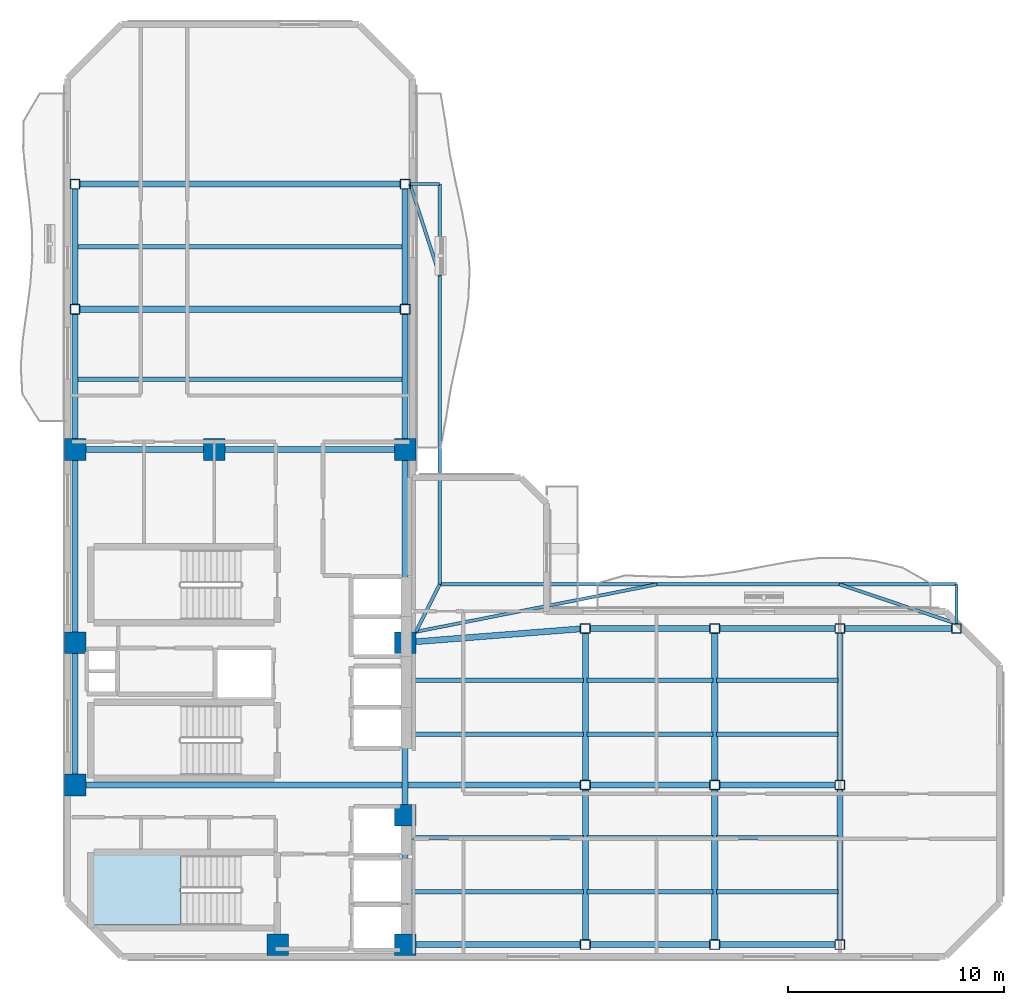
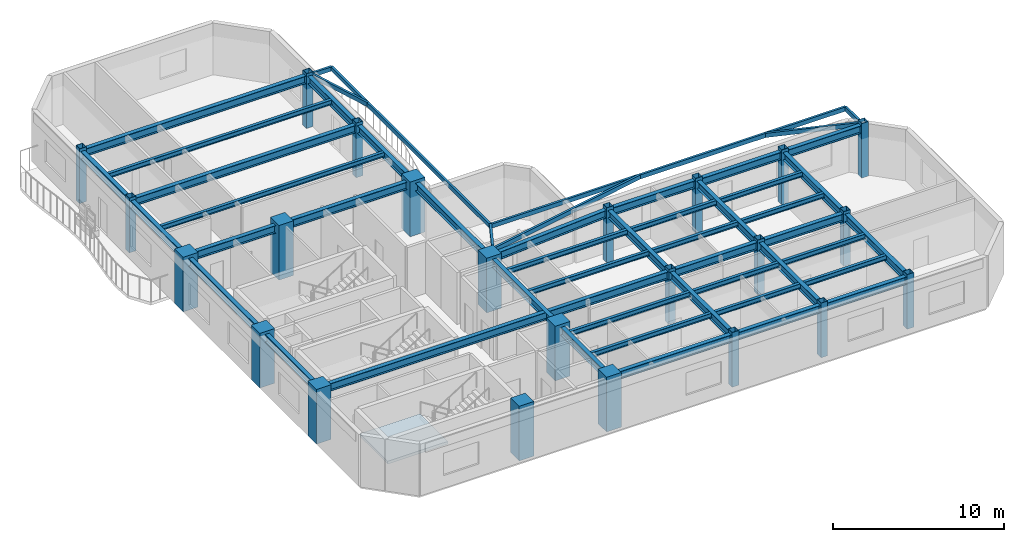
# One storey, part 1 of 11: 51 beams, 23 columns, 1 slab, 1 element without a shape of its own.
"""IFC4 building model written with IfcOpenShell, lengths in metres."""

from ifc_helpers import new_model, si_unit, direction, frame, origin, origin_2d, place, context, subcontext, project, spatial, polyline, rectangle, hollow_rectangle, i_section, outline, extrude, material, layer, layer_set, material_profile, profile_set, type_object, element, aggregate, save


model = new_model("IFC4")

# Units and contexts
model_context = context("Model", 3, precision=1e-05, world=origin(), true_north=direction((0.0, 1.0)))
body_context = subcontext(model_context, "Body", "Model", "MODEL_VIEW")
ifc_project = project(units=[si_unit("LENGTHUNIT", "METRE"), si_unit("AREAUNIT", "SQUARE_METRE"), si_unit("VOLUMEUNIT", "CUBIC_METRE"), si_unit("PLANEANGLEUNIT", "RADIAN"), si_unit("MASSUNIT", "GRAM", prefix="KILO")], contexts=[model_context])

# Site, building, storey
site_placement = place(None, origin())
site = spatial("IfcSite", under=ifc_project, at=site_placement, CompositionType="ELEMENT")
building_placement = place(site_placement, origin())
building = spatial("IfcBuilding", under=site, at=building_placement, Name="Mawjaban Terraces University", CompositionType="ELEMENT")
storey_placement = place(building_placement, frame((0.0, 0.0, 214.800048828125)))
storey = spatial("IfcBuildingStorey", under=building, at=storey_placement, Name="L52", CompositionType="ELEMENT", Elevation=214.800048828125)

# Columns
ifc_material_1 = material(Name="Concrete C60/75", Category="concrete")
ifc_material_profile_1 = material_profile(ifc_material_1, rectangle(XDim=1.0, YDim=1.0, at=origin_2d()), Name="RC1000X1000")
ifc_profile_set_1 = profile_set([ifc_material_profile_1], Name="Concrete C60/75")
column_type_1 = type_object("IfcColumnType", Name="Col_RC1000X1000", PredefinedType="COLUMN", material=ifc_profile_set_1)
for number, where, z_axis, x_axis, name in (
    (1, (31.75, 0.550048828125, 0.0), (0.0, 0.0, 1.0), (1.0, 0.0, 0.0), "L52 Column CC2"),
    (2, (37.64990234375, 0.550048828125, 0.0), (0.0, 0.0, 1.0), (1.0, 0.0, 0.0), "L52 Column CC3"),
    (3, (22.35009765625, 7.949951171875, 0.0), (0.0, 0.0, 1.0), (1.0, 0.0, 0.0), "L52 Column CC4"),
    (4, (37.64990234375, 6.550048828125, 0.0), (0.0, 0.0, 1.0), (1.0, 0.0, 0.0), "L52 Column CC5"),
    (5, (22.35009765625, 14.550048828125, 0.0), (0.0, 0.0, 1.0), (1.0, 0.0, 0.0), "L52 Column CC6"),
    (6, (37.64990234375, 14.550048828125, 0.0), (0.0, 0.0, 1.0), (1.0, 0.0, 0.0), "L52 Column CC7"),
    (7, (22.35009765625, 23.5, 0.0), (0.0, 0.0, 1.0), (1.0, 0.0, 0.0), "L52 Column CC8"),
    (8, (28.800048828125, 23.5, 0.0), (0.0, 0.0, 1.0), (1.0, 0.0, 0.0), "L52 Column CC9"),
    (9, (37.64990234375, 23.5, 0.0), (0.0, 0.0, 1.0), (1.0, 0.0, 0.0), "L52 Column CC10"),
):
    element("IfcColumn", number, at=place(storey_placement, frame(where, z_axis=z_axis, x_axis=x_axis)), inside=storey, type_object=column_type_1, Name=name, PredefinedType="COLUMN", context=body_context, shape_type="SweptSolid", body=[
        extrude(rectangle(XDim=1.0, YDim=1.0, at=origin_2d()), origin(), (0.0, 0.0, 1.0), 3.89990234375),
    ])
ifc_material_2 = material(Name="Steel EN 10210-1 S355J2H", Category="steel")
ifc_material_profile_2 = material_profile(ifc_material_2, hollow_rectangle(XDim=0.449951171875, YDim=0.449951171875, WallThickness=0.02001953125, at=origin_2d()), Name="SHS450X450X20")
ifc_profile_set_2 = profile_set([ifc_material_profile_2], Name="Steel EN 10210-1 S355J2H")
column_type_2 = type_object("IfcColumnType", Name="Col_SHS450X450X20", PredefinedType="COLUMN", material=ifc_profile_set_2)
for number, where, z_axis, x_axis, name in (
    (10, (46.0, 0.550048828125, 0.0), (0.0, 0.0, 1.0), (1.0, 0.0, 0.0), "L52 Column TE-460-005"),
    (11, (46.0, 7.949951171875, 0.0), (0.0, 0.0, 1.0), (1.0, 0.0, 0.0), "L52 Column TE-460-080"),
    (12, (46.0, 15.199951171875, 0.0), (0.0, 0.0, 1.0), (1.0, 0.0, 0.0), "L52 Column TE-460-152"),
    (13, (52.0, 0.550048828125, 0.0), (0.0, 0.0, 1.0), (1.0, 0.0, 0.0), "L52 Column TE-520-005"),
    (14, (52.0, 7.949951171875, 0.0), (0.0, 0.0, 1.0), (1.0, 0.0, 0.0), "L52 Column TE-520-080"),
    (15, (52.0, 15.199951171875, 0.0), (0.0, 0.0, 1.0), (1.0, 0.0, 0.0), "L52 Column TE-520-152"),
    (16, (57.800048828125, 0.550048828125, 0.0), (0.0, 0.0, 1.0), (1.0, 0.0, 0.0), "L52 Column TE-578-005"),
    (17, (57.800048828125, 7.949951171875, 0.0), (0.0, 0.0, 1.0), (1.0, 0.0, 0.0), "L52 Column TE-578-080"),
    (18, (57.800048828125, 15.199951171875, 0.0), (0.0, 0.0, 1.0), (1.0, 0.0, 0.0), "L52 Column TE-578-152"),
    (19, (63.199951171875, 15.199951171875, 0.0), (0.0, 0.0, 1.0), (1.0, 0.0, 0.0), "L52 Column TE-632-152"),
    (20, (22.35009765625, 30.0, 0.0), (0.0, 0.0, 1.0), (1.0, 0.0, 0.0), "L52 Column TN-223-300"),
    (21, (37.64990234375, 30.0, 0.0), (0.0, 0.0, 1.0), (1.0, 0.0, 0.0), "L52 Column TN-376-300"),
    (22, (22.35009765625, 35.800048828125, 0.0), (0.0, 0.0, 1.0), (1.0, 0.0, 0.0), "L52 Column TN-223-358"),
    (23, (37.64990234375, 35.800048828125, 0.0), (0.0, 0.0, 1.0), (1.0, 0.0, 0.0), "L52 Column TN-376-358"),
):
    element("IfcColumn", number, at=place(storey_placement, frame(where, z_axis=z_axis, x_axis=x_axis)), inside=storey, type_object=column_type_2, Name=name, PredefinedType="COLUMN", context=body_context, shape_type="SweptSolid", body=[
        extrude(hollow_rectangle(XDim=0.449951171875, YDim=0.449951171875, WallThickness=0.02001953125, at=origin_2d()), origin(), (0.0, 0.0, 1.0), 3.89990234375),
    ])

# Beams
ifc_material_profile_3 = material_profile(ifc_material_2, hollow_rectangle(XDim=0.14990234375, YDim=0.300048828125, WallThickness=0.012451171875, at=origin_2d()), Name="RHS300X150X12.5")
ifc_profile_set_3 = profile_set([ifc_material_profile_3], Name="Steel EN 10210-1 S355J2H")
beam_type_1 = type_object("IfcBeamType", Name="BalconyCantileverSpandrel_RHS", PredefinedType="SPANDREL", material=ifc_profile_set_3)
beam_1_placement = place(storey_placement, frame((38.14990234375, 15.050048828125, 3.5400390625), z_axis=(0.447253297971, 0.894407338663, 0.0), x_axis=(-0.894407338663, 0.447253297971, 0.0)))
element("IfcBeam", 24, at=beam_1_placement, inside=storey, type_object=beam_type_1, Name="L52 Corner Outrigger BAL-L53-N", PredefinedType="SPANDREL", context=body_context, shape_type="SweptSolid", body=[
    extrude(hollow_rectangle(XDim=0.14990234375, YDim=0.300048828125, WallThickness=0.012451171875, at=origin_2d()), origin(), (0.0, 0.0, 1.0), 2.459716796875),
])
beam_2_placement = place(storey_placement, frame((63.199951171875, 15.425048828125, 3.5400390625), z_axis=(0.0, 1.0, 0.0), x_axis=(-1.0, 0.0, 0.0)))
element("IfcBeam", 25, at=beam_2_placement, inside=storey, type_object=beam_type_1, Name="L52 Exterior Outrigger BAL-L53-N.2", PredefinedType="SPANDREL", context=body_context, shape_type="SweptSolid", body=[
    extrude(hollow_rectangle(XDim=0.14990234375, YDim=0.300048828125, WallThickness=0.012451171875, at=origin_2d()), origin(), (0.0, 0.0, 1.0), 1.824951171875),
])
beam_3_placement = place(storey_placement, frame((39.25, 17.25, 3.5400390625), z_axis=(1.0, 0.0, 0.0), x_axis=(0.0, 1.0, 0.0)))
element("IfcBeam", 26, at=beam_3_placement, inside=storey, type_object=beam_type_1, Name="L52 Exterior Edge Spandrel BAL-L53-N", PredefinedType="SPANDREL", context=body_context, shape_type="SweptSolid", body=[
    extrude(hollow_rectangle(XDim=0.14990234375, YDim=0.300048828125, WallThickness=0.012451171875, at=origin_2d()), origin(), (0.0, 0.0, 1.0), 23.949951171875),
])
beam_4_placement = place(storey_placement, frame((38.14990234375, 15.050048828125, 3.5400390625), z_axis=(0.981168159066, 0.193155490821, 0.0), x_axis=(-0.193155490821, 0.981168159066, 0.0)))
element("IfcBeam", 27, at=beam_4_placement, inside=storey, type_object=beam_type_1, Name="L52 Exterior Diagonal Strut BAL-L53-N.1", PredefinedType="SPANDREL", context=body_context, shape_type="SweptSolid", body=[
    extrude(hollow_rectangle(XDim=0.14990234375, YDim=0.300048828125, WallThickness=0.012451171875, at=origin_2d()), origin(), (0.0, 0.0, 1.0), 11.3896484375),
])
beam_5_placement = place(storey_placement, frame((63.199951171875, 15.425048828125, 3.5400390625), z_axis=(-0.947809569578, 0.318836980001, 0.0), x_axis=(-0.318836980001, -0.947809569578, 0.0)))
element("IfcBeam", 28, at=beam_5_placement, inside=storey, type_object=beam_type_1, Name="L52 Exterior Diagonal Strut BAL-L53-N.2", PredefinedType="SPANDREL", context=body_context, shape_type="SweptSolid", body=[
    extrude(hollow_rectangle(XDim=0.14990234375, YDim=0.300048828125, WallThickness=0.012451171875, at=origin_2d()), origin(), (0.0, 0.0, 1.0), 5.723876953125),
])
beam_6_placement = place(storey_placement, frame((37.875, 35.800048828125, 3.5400390625), z_axis=(1.0, 0.0, 0.0), x_axis=(0.0, 1.0, 0.0)))
element("IfcBeam", 29, at=beam_6_placement, inside=storey, type_object=beam_type_1, Name="L52 Exterior Outrigger BAL-L53-E.2", PredefinedType="SPANDREL", context=body_context, shape_type="SweptSolid", body=[
    extrude(hollow_rectangle(XDim=0.14990234375, YDim=0.300048828125, WallThickness=0.012451171875, at=origin_2d()), origin(), (0.0, 0.0, 1.0), 1.375),
])
beam_7_placement = place(storey_placement, frame((39.25, 17.25, 3.5400390625), z_axis=(0.0, 1.0, 0.0), x_axis=(-1.0, 0.0, 0.0)))
element("IfcBeam", 30, at=beam_7_placement, inside=storey, type_object=beam_type_1, Name="L52 Exterior Edge Spandrel BAL-L53-E", PredefinedType="SPANDREL", context=body_context, shape_type="SweptSolid", body=[
    extrude(hollow_rectangle(XDim=0.14990234375, YDim=0.300048828125, WallThickness=0.012451171875, at=origin_2d()), origin(), (0.0, 0.0, 1.0), 18.550048828125),
])
beam_8_placement = place(storey_placement, frame((37.875, 35.800048828125, 3.5400390625), z_axis=(0.307820285415, -0.951444518554, 0.0), x_axis=(0.951444518554, 0.307820285415, 0.0)))
element("IfcBeam", 31, at=beam_8_placement, inside=storey, type_object=beam_type_1, Name="L52 Exterior Diagonal Strut BAL-L53-E.1", PredefinedType="SPANDREL", context=body_context, shape_type="SweptSolid", body=[
    extrude(hollow_rectangle(XDim=0.14990234375, YDim=0.300048828125, WallThickness=0.012451171875, at=origin_2d()), origin(), (0.0, 0.0, 1.0), 4.466796875),
])
ifc_material_3 = material(Name="Steel ASTM A572 Grade 50", Category="steel")
ifc_material_profile_4 = material_profile(ifc_material_3, i_section(OverallWidth=0.281005859375, OverallDepth=0.551025390625, WebThickness=0.01513671875, FlangeThickness=0.02587890625, at=origin_2d()), Name="W530X182")
ifc_profile_set_4 = profile_set([ifc_material_profile_4], Name="Steel ASTM A572 Grade 50")
beam_type_2 = type_object("IfcBeamType", Name="Beam_B_W530X182", PredefinedType="BEAM", material=ifc_profile_set_4)
beam_9_placement = place(storey_placement, frame((38.14990234375, 0.550048828125, 3.4150390625), z_axis=(1.0, 0.0, 0.0), x_axis=(0.0, 1.0, 0.0)))
element("IfcBeam", 32, at=beam_9_placement, inside=storey, type_object=beam_type_2, Name="L52 Beam BM-L52-EW-01", PredefinedType="BEAM", context=body_context, shape_type="SweptSolid", body=[
    extrude(i_section(OverallWidth=0.281005859375, OverallDepth=0.551025390625, WebThickness=0.01513671875, FlangeThickness=0.02587890625, at=origin_2d()), origin(), (0.0, 0.0, 1.0), 7.625),
])
beam_10_placement = place(storey_placement, frame((46.22509765625, 0.550048828125, 3.4150390625), z_axis=(1.0, 0.0, 0.0), x_axis=(0.0, 1.0, 0.0)))
element("IfcBeam", 33, at=beam_10_placement, inside=storey, type_object=beam_type_2, Name="L52 Beam BM-L52-EW-02", PredefinedType="BEAM", context=body_context, shape_type="SweptSolid", body=[
    extrude(i_section(OverallWidth=0.281005859375, OverallDepth=0.551025390625, WebThickness=0.01513671875, FlangeThickness=0.02587890625, at=origin_2d()), origin(), (0.0, 0.0, 1.0), 5.5498046875),
])
beam_11_placement = place(storey_placement, frame((52.22509765625, 0.550048828125, 3.4150390625), z_axis=(1.0, 0.0, 0.0), x_axis=(0.0, 1.0, 0.0)))
element("IfcBeam", 34, at=beam_11_placement, inside=storey, type_object=beam_type_2, Name="L52 Beam BM-L52-EW-03", PredefinedType="BEAM", context=body_context, shape_type="SweptSolid", body=[
    extrude(i_section(OverallWidth=0.281005859375, OverallDepth=0.551025390625, WebThickness=0.01513671875, FlangeThickness=0.02587890625, at=origin_2d()), origin(), (0.0, 0.0, 1.0), 5.349853515625),
])
beam_12_placement = place(storey_placement, frame((22.85009765625, 7.949951171875, 3.4150390625), z_axis=(1.0, 0.0, 0.0), x_axis=(0.0, 1.0, 0.0)))
element("IfcBeam", 35, at=beam_12_placement, inside=storey, type_object=beam_type_2, Name="L52 Beam BM-L52-EW-04", PredefinedType="BEAM", context=body_context, shape_type="SweptSolid", body=[
    extrude(i_section(OverallWidth=0.281005859375, OverallDepth=0.551025390625, WebThickness=0.01513671875, FlangeThickness=0.02587890625, at=origin_2d()), origin(), (0.0, 0.0, 1.0), 22.9248046875),
])
beam_13_placement = place(storey_placement, frame((46.22509765625, 7.949951171875, 3.4150390625), z_axis=(1.0, 0.0, 0.0), x_axis=(0.0, 1.0, 0.0)))
element("IfcBeam", 36, at=beam_13_placement, inside=storey, type_object=beam_type_2, Name="L52 Beam BM-L52-EW-05", PredefinedType="BEAM", context=body_context, shape_type="SweptSolid", body=[
    extrude(i_section(OverallWidth=0.281005859375, OverallDepth=0.551025390625, WebThickness=0.01513671875, FlangeThickness=0.02587890625, at=origin_2d()), origin(), (0.0, 0.0, 1.0), 5.5498046875),
])
beam_14_placement = place(storey_placement, frame((52.22509765625, 7.949951171875, 3.4150390625), z_axis=(1.0, 0.0, 0.0), x_axis=(0.0, 1.0, 0.0)))
element("IfcBeam", 37, at=beam_14_placement, inside=storey, type_object=beam_type_2, Name="L52 Beam BM-L52-EW-06", PredefinedType="BEAM", context=body_context, shape_type="SweptSolid", body=[
    extrude(i_section(OverallWidth=0.281005859375, OverallDepth=0.551025390625, WebThickness=0.01513671875, FlangeThickness=0.02587890625, at=origin_2d()), origin(), (0.0, 0.0, 1.0), 5.349853515625),
])
beam_15_placement = place(storey_placement, frame((46.22509765625, 15.199951171875, 3.4150390625), z_axis=(1.0, 0.0, 0.0), x_axis=(0.0, 1.0, 0.0)))
element("IfcBeam", 38, at=beam_15_placement, inside=storey, type_object=beam_type_2, Name="L52 Beam BM-L52-EW-07", PredefinedType="BEAM", context=body_context, shape_type="SweptSolid", body=[
    extrude(i_section(OverallWidth=0.281005859375, OverallDepth=0.551025390625, WebThickness=0.01513671875, FlangeThickness=0.02587890625, at=origin_2d()), origin(), (0.0, 0.0, 1.0), 5.5498046875),
])
beam_16_placement = place(storey_placement, frame((52.22509765625, 15.199951171875, 3.4150390625), z_axis=(1.0, 0.0, 0.0), x_axis=(0.0, 1.0, 0.0)))
element("IfcBeam", 39, at=beam_16_placement, inside=storey, type_object=beam_type_2, Name="L52 Beam BM-L52-EW-08", PredefinedType="BEAM", context=body_context, shape_type="SweptSolid", body=[
    extrude(i_section(OverallWidth=0.281005859375, OverallDepth=0.551025390625, WebThickness=0.01513671875, FlangeThickness=0.02587890625, at=origin_2d()), origin(), (0.0, 0.0, 1.0), 5.349853515625),
])
beam_17_placement = place(storey_placement, frame((58.02490234375, 15.199951171875, 3.4150390625), z_axis=(1.0, 0.0, 0.0), x_axis=(0.0, 1.0, 0.0)))
element("IfcBeam", 40, at=beam_17_placement, inside=storey, type_object=beam_type_2, Name="L52 Beam BM-L52-EW-09", PredefinedType="BEAM", context=body_context, shape_type="SweptSolid", body=[
    extrude(i_section(OverallWidth=0.281005859375, OverallDepth=0.551025390625, WebThickness=0.01513671875, FlangeThickness=0.02587890625, at=origin_2d()), origin(), (0.0, 0.0, 1.0), 4.9501953125),
])
beam_18_placement = place(storey_placement, frame((22.85009765625, 23.5, 3.4150390625), z_axis=(1.0, 0.0, 0.0), x_axis=(0.0, 1.0, 0.0)))
element("IfcBeam", 41, at=beam_18_placement, inside=storey, type_object=beam_type_2, Name="L52 Beam BM-L52-EW-10", PredefinedType="BEAM", context=body_context, shape_type="SweptSolid", body=[
    extrude(i_section(OverallWidth=0.281005859375, OverallDepth=0.551025390625, WebThickness=0.01513671875, FlangeThickness=0.02587890625, at=origin_2d()), origin(), (0.0, 0.0, 1.0), 5.449951171875),
])
beam_19_placement = place(storey_placement, frame((29.300048828125, 23.5, 3.4150390625), z_axis=(1.0, 0.0, 0.0), x_axis=(0.0, 1.0, 0.0)))
element("IfcBeam", 42, at=beam_19_placement, inside=storey, type_object=beam_type_2, Name="L52 Beam BM-L52-EW-11", PredefinedType="BEAM", context=body_context, shape_type="SweptSolid", body=[
    extrude(i_section(OverallWidth=0.281005859375, OverallDepth=0.551025390625, WebThickness=0.01513671875, FlangeThickness=0.02587890625, at=origin_2d()), origin(), (0.0, 0.0, 1.0), 7.849853515625),
])
for number, where, z_axis, x_axis, name in (
    (43, (22.574951171875, 30.0, 3.4150390625), (1.0, 0.0, 0.0), (0.0, 1.0, 0.0), "L52 Beam BM-L52-EW-12"),
    (44, (22.574951171875, 35.800048828125, 3.4150390625), (1.0, 0.0, 0.0), (0.0, 1.0, 0.0), "L52 Beam BM-L52-EW-13"),
):
    element("IfcBeam", number, at=place(storey_placement, frame(where, z_axis=z_axis, x_axis=x_axis)), inside=storey, type_object=beam_type_2, Name=name, PredefinedType="BEAM", context=body_context, shape_type="SweptSolid", body=[
        extrude(i_section(OverallWidth=0.281005859375, OverallDepth=0.551025390625, WebThickness=0.01513671875, FlangeThickness=0.02587890625, at=origin_2d()), origin(), (0.0, 0.0, 1.0), 14.85009765625),
    ])
beam_20_placement = place(storey_placement, frame((22.35009765625, 8.449951171875, 3.4150390625), z_axis=(0.0, 1.0, 0.0), x_axis=(-1.0, 0.0, 0.0)))
element("IfcBeam", 45, at=beam_20_placement, inside=storey, type_object=beam_type_2, Name="L52 Beam BM-L52-NS-01", PredefinedType="BEAM", context=body_context, shape_type="SweptSolid", body=[
    extrude(i_section(OverallWidth=0.281005859375, OverallDepth=0.551025390625, WebThickness=0.01513671875, FlangeThickness=0.02587890625, at=origin_2d()), origin(), (0.0, 0.0, 1.0), 5.60009765625),
])
beam_21_placement = place(storey_placement, frame((22.35009765625, 15.050048828125, 3.4150390625), z_axis=(0.0, 1.0, 0.0), x_axis=(-1.0, 0.0, 0.0)))
element("IfcBeam", 46, at=beam_21_placement, inside=storey, type_object=beam_type_2, Name="L52 Beam BM-L52-NS-02", PredefinedType="BEAM", context=body_context, shape_type="SweptSolid", body=[
    extrude(i_section(OverallWidth=0.281005859375, OverallDepth=0.551025390625, WebThickness=0.01513671875, FlangeThickness=0.02587890625, at=origin_2d()), origin(), (0.0, 0.0, 1.0), 7.949951171875),
])
beam_22_placement = place(storey_placement, frame((22.35009765625, 24.0, 3.4150390625), z_axis=(0.0, 1.0, 0.0), x_axis=(-1.0, 0.0, 0.0)))
element("IfcBeam", 47, at=beam_22_placement, inside=storey, type_object=beam_type_2, Name="L52 Beam BM-L52-NS-03", PredefinedType="BEAM", context=body_context, shape_type="SweptSolid", body=[
    extrude(i_section(OverallWidth=0.281005859375, OverallDepth=0.551025390625, WebThickness=0.01513671875, FlangeThickness=0.02587890625, at=origin_2d()), origin(), (0.0, 0.0, 1.0), 5.77490234375),
])
beam_23_placement = place(storey_placement, frame((22.35009765625, 30.22509765625, 3.4150390625), z_axis=(0.0, 1.0, 0.0), x_axis=(-1.0, 0.0, 0.0)))
element("IfcBeam", 48, at=beam_23_placement, inside=storey, type_object=beam_type_2, Name="L52 Beam BM-L52-NS-04", PredefinedType="BEAM", context=body_context, shape_type="SweptSolid", body=[
    extrude(i_section(OverallWidth=0.281005859375, OverallDepth=0.551025390625, WebThickness=0.01513671875, FlangeThickness=0.02587890625, at=origin_2d()), origin(), (0.0, 0.0, 1.0), 5.349853515625),
])
beam_24_placement = place(storey_placement, frame((37.64990234375, 1.050048828125, 3.4150390625), z_axis=(0.0, 1.0, 0.0), x_axis=(-1.0, 0.0, 0.0)))
element("IfcBeam", 49, at=beam_24_placement, inside=storey, type_object=beam_type_2, Name="L52 Beam BM-L52-NS-05", PredefinedType="BEAM", context=body_context, shape_type="SweptSolid", body=[
    extrude(i_section(OverallWidth=0.281005859375, OverallDepth=0.551025390625, WebThickness=0.01513671875, FlangeThickness=0.02587890625, at=origin_2d()), origin(), (0.0, 0.0, 1.0), 5.0),
])
beam_25_placement = place(storey_placement, frame((37.64990234375, 7.050048828125, 3.4150390625), z_axis=(0.0, 1.0, 0.0), x_axis=(-1.0, 0.0, 0.0)))
element("IfcBeam", 50, at=beam_25_placement, inside=storey, type_object=beam_type_2, Name="L52 Beam BM-L52-NS-06", PredefinedType="BEAM", context=body_context, shape_type="SweptSolid", body=[
    extrude(i_section(OverallWidth=0.281005859375, OverallDepth=0.551025390625, WebThickness=0.01513671875, FlangeThickness=0.02587890625, at=origin_2d()), origin(), (0.0, 0.0, 1.0), 7.0),
])
beam_26_placement = place(storey_placement, frame((37.64990234375, 15.050048828125, 3.4150390625), z_axis=(0.0, 1.0, 0.0), x_axis=(-1.0, 0.0, 0.0)))
element("IfcBeam", 51, at=beam_26_placement, inside=storey, type_object=beam_type_2, Name="L52 Beam BM-L52-NS-07", PredefinedType="BEAM", context=body_context, shape_type="SweptSolid", body=[
    extrude(i_section(OverallWidth=0.281005859375, OverallDepth=0.551025390625, WebThickness=0.01513671875, FlangeThickness=0.02587890625, at=origin_2d()), origin(), (0.0, 0.0, 1.0), 7.949951171875),
])
beam_27_placement = place(storey_placement, frame((37.64990234375, 24.0, 3.4150390625), z_axis=(0.0, 1.0, 0.0), x_axis=(-1.0, 0.0, 0.0)))
element("IfcBeam", 52, at=beam_27_placement, inside=storey, type_object=beam_type_2, Name="L52 Beam BM-L52-NS-08", PredefinedType="BEAM", context=body_context, shape_type="SweptSolid", body=[
    extrude(i_section(OverallWidth=0.281005859375, OverallDepth=0.551025390625, WebThickness=0.01513671875, FlangeThickness=0.02587890625, at=origin_2d()), origin(), (0.0, 0.0, 1.0), 5.77490234375),
])
beam_28_placement = place(storey_placement, frame((37.64990234375, 30.22509765625, 3.4150390625), z_axis=(0.0, 1.0, 0.0), x_axis=(-1.0, 0.0, 0.0)))
element("IfcBeam", 53, at=beam_28_placement, inside=storey, type_object=beam_type_2, Name="L52 Beam BM-L52-NS-09", PredefinedType="BEAM", context=body_context, shape_type="SweptSolid", body=[
    extrude(i_section(OverallWidth=0.281005859375, OverallDepth=0.551025390625, WebThickness=0.01513671875, FlangeThickness=0.02587890625, at=origin_2d()), origin(), (0.0, 0.0, 1.0), 5.349853515625),
])
beam_29_placement = place(storey_placement, frame((46.0, 0.77490234375, 3.4150390625), z_axis=(0.0, 1.0, 0.0), x_axis=(-1.0, 0.0, 0.0)))
element("IfcBeam", 54, at=beam_29_placement, inside=storey, type_object=beam_type_2, Name="L52 Beam BM-L52-NS-10", PredefinedType="BEAM", context=body_context, shape_type="SweptSolid", body=[
    extrude(i_section(OverallWidth=0.281005859375, OverallDepth=0.551025390625, WebThickness=0.01513671875, FlangeThickness=0.02587890625, at=origin_2d()), origin(), (0.0, 0.0, 1.0), 6.9501953125),
])
beam_30_placement = place(storey_placement, frame((46.0, 8.175048828125, 3.4150390625), z_axis=(0.0, 1.0, 0.0), x_axis=(-1.0, 0.0, 0.0)))
element("IfcBeam", 55, at=beam_30_placement, inside=storey, type_object=beam_type_2, Name="L52 Beam BM-L52-NS-11", PredefinedType="BEAM", context=body_context, shape_type="SweptSolid", body=[
    extrude(i_section(OverallWidth=0.281005859375, OverallDepth=0.551025390625, WebThickness=0.01513671875, FlangeThickness=0.02587890625, at=origin_2d()), origin(), (0.0, 0.0, 1.0), 6.800048828125),
])
beam_31_placement = place(storey_placement, frame((52.0, 0.77490234375, 3.4150390625), z_axis=(0.0, 1.0, 0.0), x_axis=(-1.0, 0.0, 0.0)))
element("IfcBeam", 56, at=beam_31_placement, inside=storey, type_object=beam_type_2, Name="L52 Beam BM-L52-NS-12", PredefinedType="BEAM", context=body_context, shape_type="SweptSolid", body=[
    extrude(i_section(OverallWidth=0.281005859375, OverallDepth=0.551025390625, WebThickness=0.01513671875, FlangeThickness=0.02587890625, at=origin_2d()), origin(), (0.0, 0.0, 1.0), 6.9501953125),
])
beam_32_placement = place(storey_placement, frame((52.0, 8.175048828125, 3.4150390625), z_axis=(0.0, 1.0, 0.0), x_axis=(-1.0, 0.0, 0.0)))
element("IfcBeam", 57, at=beam_32_placement, inside=storey, type_object=beam_type_2, Name="L52 Beam BM-L52-NS-13", PredefinedType="BEAM", context=body_context, shape_type="SweptSolid", body=[
    extrude(i_section(OverallWidth=0.281005859375, OverallDepth=0.551025390625, WebThickness=0.01513671875, FlangeThickness=0.02587890625, at=origin_2d()), origin(), (0.0, 0.0, 1.0), 6.800048828125),
])
beam_33_placement = place(storey_placement, frame((57.800048828125, 0.77490234375, 3.4150390625), z_axis=(0.0, 1.0, 0.0), x_axis=(-1.0, 0.0, 0.0)))
element("IfcBeam", 58, at=beam_33_placement, inside=storey, type_object=beam_type_2, Name="L52 Beam BM-L52-NS-14", PredefinedType="BEAM", context=body_context, shape_type="SweptSolid", body=[
    extrude(i_section(OverallWidth=0.281005859375, OverallDepth=0.551025390625, WebThickness=0.01513671875, FlangeThickness=0.02587890625, at=origin_2d()), origin(), (0.0, 0.0, 1.0), 6.9501953125),
])
beam_34_placement = place(storey_placement, frame((57.800048828125, 8.175048828125, 3.4150390625), z_axis=(0.0, 1.0, 0.0), x_axis=(-1.0, 0.0, 0.0)))
element("IfcBeam", 59, at=beam_34_placement, inside=storey, type_object=beam_type_2, Name="L52 Beam BM-L52-NS-15", PredefinedType="BEAM", context=body_context, shape_type="SweptSolid", body=[
    extrude(i_section(OverallWidth=0.281005859375, OverallDepth=0.551025390625, WebThickness=0.01513671875, FlangeThickness=0.02587890625, at=origin_2d()), origin(), (0.0, 0.0, 1.0), 6.800048828125),
])
beam_35_placement = place(storey_placement, frame((38.14794921875, 14.589111328125, 3.4150390625), z_axis=(0.99698177718, 0.077635919341, 0.0), x_axis=(-0.077635919341, 0.99698177718, 0.0)))
element("IfcBeam", 60, at=beam_35_placement, inside=storey, type_object=beam_type_2, Name="L52 Beam BM-L52-CTIE", PredefinedType="BEAM", context=body_context, shape_type="SweptSolid", body=[
    extrude(i_section(OverallWidth=0.281005859375, OverallDepth=0.551025390625, WebThickness=0.01513671875, FlangeThickness=0.02587890625, at=origin_2d()), origin(), (0.0, 0.0, 1.0), 7.651123046875),
])
ifc_material_profile_5 = material_profile(ifc_material_3, i_section(OverallWidth=0.202880859375, OverallDepth=0.346923828125, WebThickness=0.0078125, FlangeThickness=0.013427734375, at=origin_2d()), Name="W360X64")
ifc_profile_set_5 = profile_set([ifc_material_profile_5], Name="Steel ASTM A572 Grade 50")
beam_type_3 = type_object("IfcBeamType", Name="Beam_J_W360X64", PredefinedType="JOIST", material=ifc_profile_set_5)
beam_36_placement = place(storey_placement, frame((37.72998046875, 3.0, 3.516845703125), z_axis=(1.0, 0.0, 0.0), x_axis=(0.0, 1.0, 0.0)))
element("IfcBeam", 61, at=beam_36_placement, inside=storey, type_object=beam_type_3, Name="L52 Composite Joist JST-L52-01", PredefinedType="JOIST", context=body_context, shape_type="SweptSolid", body=[
    extrude(i_section(OverallWidth=0.202880859375, OverallDepth=0.346923828125, WebThickness=0.0078125, FlangeThickness=0.013427734375, at=origin_2d()), origin(), (0.0, 0.0, 1.0), 8.18994140625),
])
beam_37_placement = place(storey_placement, frame((46.080078125, 3.0, 3.516845703125), z_axis=(1.0, 0.0, 0.0), x_axis=(0.0, 1.0, 0.0)))
element("IfcBeam", 62, at=beam_37_placement, inside=storey, type_object=beam_type_3, Name="L52 Composite Joist JST-L52-02", PredefinedType="JOIST", context=body_context, shape_type="SweptSolid", body=[
    extrude(i_section(OverallWidth=0.202880859375, OverallDepth=0.346923828125, WebThickness=0.0078125, FlangeThickness=0.013427734375, at=origin_2d()), origin(), (0.0, 0.0, 1.0), 5.83984375),
])
beam_38_placement = place(storey_placement, frame((52.080078125, 3.0, 3.516845703125), z_axis=(1.0, 0.0, 0.0), x_axis=(0.0, 1.0, 0.0)))
element("IfcBeam", 63, at=beam_38_placement, inside=storey, type_object=beam_type_3, Name="L52 Composite Joist JST-L52-03", PredefinedType="JOIST", context=body_context, shape_type="SweptSolid", body=[
    extrude(i_section(OverallWidth=0.202880859375, OverallDepth=0.346923828125, WebThickness=0.0078125, FlangeThickness=0.013427734375, at=origin_2d()), origin(), (0.0, 0.0, 1.0), 5.639892578125),
])
beam_39_placement = place(storey_placement, frame((37.72998046875, 5.5, 3.516845703125), z_axis=(1.0, 0.0, 0.0), x_axis=(0.0, 1.0, 0.0)))
element("IfcBeam", 64, at=beam_39_placement, inside=storey, type_object=beam_type_3, Name="L52 Composite Joist JST-L52-04", PredefinedType="JOIST", context=body_context, shape_type="SweptSolid", body=[
    extrude(i_section(OverallWidth=0.202880859375, OverallDepth=0.346923828125, WebThickness=0.0078125, FlangeThickness=0.013427734375, at=origin_2d()), origin(), (0.0, 0.0, 1.0), 8.18994140625),
])
beam_40_placement = place(storey_placement, frame((46.080078125, 5.5, 3.516845703125), z_axis=(1.0, 0.0, 0.0), x_axis=(0.0, 1.0, 0.0)))
element("IfcBeam", 65, at=beam_40_placement, inside=storey, type_object=beam_type_3, Name="L52 Composite Joist JST-L52-05", PredefinedType="JOIST", context=body_context, shape_type="SweptSolid", body=[
    extrude(i_section(OverallWidth=0.202880859375, OverallDepth=0.346923828125, WebThickness=0.0078125, FlangeThickness=0.013427734375, at=origin_2d()), origin(), (0.0, 0.0, 1.0), 5.83984375),
])
beam_41_placement = place(storey_placement, frame((52.080078125, 5.5, 3.516845703125), z_axis=(1.0, 0.0, 0.0), x_axis=(0.0, 1.0, 0.0)))
element("IfcBeam", 66, at=beam_41_placement, inside=storey, type_object=beam_type_3, Name="L52 Composite Joist JST-L52-06", PredefinedType="JOIST", context=body_context, shape_type="SweptSolid", body=[
    extrude(i_section(OverallWidth=0.202880859375, OverallDepth=0.346923828125, WebThickness=0.0078125, FlangeThickness=0.013427734375, at=origin_2d()), origin(), (0.0, 0.0, 1.0), 5.639892578125),
])
beam_42_placement = place(storey_placement, frame((37.72998046875, 10.300048828125, 3.516845703125), z_axis=(1.0, 0.0, 0.0), x_axis=(0.0, 1.0, 0.0)))
element("IfcBeam", 67, at=beam_42_placement, inside=storey, type_object=beam_type_3, Name="L52 Composite Joist JST-L52-07", PredefinedType="JOIST", context=body_context, shape_type="SweptSolid", body=[
    extrude(i_section(OverallWidth=0.202880859375, OverallDepth=0.346923828125, WebThickness=0.0078125, FlangeThickness=0.013427734375, at=origin_2d()), origin(), (0.0, 0.0, 1.0), 8.18994140625),
])
beam_43_placement = place(storey_placement, frame((46.080078125, 10.300048828125, 3.516845703125), z_axis=(1.0, 0.0, 0.0), x_axis=(0.0, 1.0, 0.0)))
element("IfcBeam", 68, at=beam_43_placement, inside=storey, type_object=beam_type_3, Name="L52 Composite Joist JST-L52-08", PredefinedType="JOIST", context=body_context, shape_type="SweptSolid", body=[
    extrude(i_section(OverallWidth=0.202880859375, OverallDepth=0.346923828125, WebThickness=0.0078125, FlangeThickness=0.013427734375, at=origin_2d()), origin(), (0.0, 0.0, 1.0), 5.83984375),
])
beam_44_placement = place(storey_placement, frame((52.080078125, 10.300048828125, 3.516845703125), z_axis=(1.0, 0.0, 0.0), x_axis=(0.0, 1.0, 0.0)))
element("IfcBeam", 69, at=beam_44_placement, inside=storey, type_object=beam_type_3, Name="L52 Composite Joist JST-L52-09", PredefinedType="JOIST", context=body_context, shape_type="SweptSolid", body=[
    extrude(i_section(OverallWidth=0.202880859375, OverallDepth=0.346923828125, WebThickness=0.0078125, FlangeThickness=0.013427734375, at=origin_2d()), origin(), (0.0, 0.0, 1.0), 5.639892578125),
])
beam_45_placement = place(storey_placement, frame((37.72998046875, 12.800048828125, 3.516845703125), z_axis=(1.0, 0.0, 0.0), x_axis=(0.0, 1.0, 0.0)))
element("IfcBeam", 70, at=beam_45_placement, inside=storey, type_object=beam_type_3, Name="L52 Composite Joist JST-L52-10", PredefinedType="JOIST", context=body_context, shape_type="SweptSolid", body=[
    extrude(i_section(OverallWidth=0.202880859375, OverallDepth=0.346923828125, WebThickness=0.0078125, FlangeThickness=0.013427734375, at=origin_2d()), origin(), (0.0, 0.0, 1.0), 8.18994140625),
])
beam_46_placement = place(storey_placement, frame((46.080078125, 12.800048828125, 3.516845703125), z_axis=(1.0, 0.0, 0.0), x_axis=(0.0, 1.0, 0.0)))
element("IfcBeam", 71, at=beam_46_placement, inside=storey, type_object=beam_type_3, Name="L52 Composite Joist JST-L52-11", PredefinedType="JOIST", context=body_context, shape_type="SweptSolid", body=[
    extrude(i_section(OverallWidth=0.202880859375, OverallDepth=0.346923828125, WebThickness=0.0078125, FlangeThickness=0.013427734375, at=origin_2d()), origin(), (0.0, 0.0, 1.0), 5.83984375),
])
beam_47_placement = place(storey_placement, frame((52.080078125, 12.800048828125, 3.516845703125), z_axis=(1.0, 0.0, 0.0), x_axis=(0.0, 1.0, 0.0)))
element("IfcBeam", 72, at=beam_47_placement, inside=storey, type_object=beam_type_3, Name="L52 Composite Joist JST-L52-12", PredefinedType="JOIST", context=body_context, shape_type="SweptSolid", body=[
    extrude(i_section(OverallWidth=0.202880859375, OverallDepth=0.346923828125, WebThickness=0.0078125, FlangeThickness=0.013427734375, at=origin_2d()), origin(), (0.0, 0.0, 1.0), 5.639892578125),
])
for number, where, z_axis, x_axis, name in (
    (73, (22.429931640625, 26.75, 3.516845703125), (1.0, 0.0, 0.0), (0.0, 1.0, 0.0), "L52 Composite Joist JST-L52-13"),
    (74, (22.429931640625, 32.89990234375, 3.516845703125), (1.0, 0.0, 0.0), (0.0, 1.0, 0.0), "L52 Composite Joist JST-L52-14"),
):
    element("IfcBeam", number, at=place(storey_placement, frame(where, z_axis=z_axis, x_axis=x_axis)), inside=storey, type_object=beam_type_3, Name=name, PredefinedType="JOIST", context=body_context, shape_type="SweptSolid", body=[
        extrude(i_section(OverallWidth=0.202880859375, OverallDepth=0.346923828125, WebThickness=0.0078125, FlangeThickness=0.013427734375, at=origin_2d()), origin(), (0.0, 0.0, 1.0), 15.14013671875),
    ])

# Stair, slab
ifc_material_4 = material(Name="Concrete C40/50", Category="concrete")
stair_type = type_object("IfcStairType", Name="Stair_Core1550_H39", PredefinedType="HALF_TURN_STAIR", material=ifc_material_4)
stair_placement = place(storey_placement, origin())
stair = element("IfcStair", 75, at=stair_placement, inside=storey, type_object=stair_type, Name="L52 Core Exit Stair 1", PredefinedType="HALF_TURN_STAIR")
ifc_layer = layer(ifc_material_4, 0.199951171875)
ifc_layer_set = layer_set([ifc_layer], Name="Concrete C40/50")
slab_type = type_object("IfcSlabType", Name="StairLandingSlab_200", PredefinedType="LANDING", material=ifc_layer_set)
slab_placement = place(storey_placement, frame((0.0, 0.0, 1.75)))
slab = element("IfcSlab", 76, at=slab_placement, type_object=slab_type, Name="ST-1 landing 1", PredefinedType="LANDING", context=body_context, shape_type="SweptSolid", body=[
    extrude(outline(polyline([(27.25, 4.699951171875), (23.199951171875, 4.699951171875), (23.199951171875, 1.449951171875), (27.25, 1.449951171875), (27.25, 4.699951171875)])), origin(), (0.0, 0.0, 1.0), 0.199951171875),
])
aggregate(stair, [slab])

save(model, "model.ifc")
